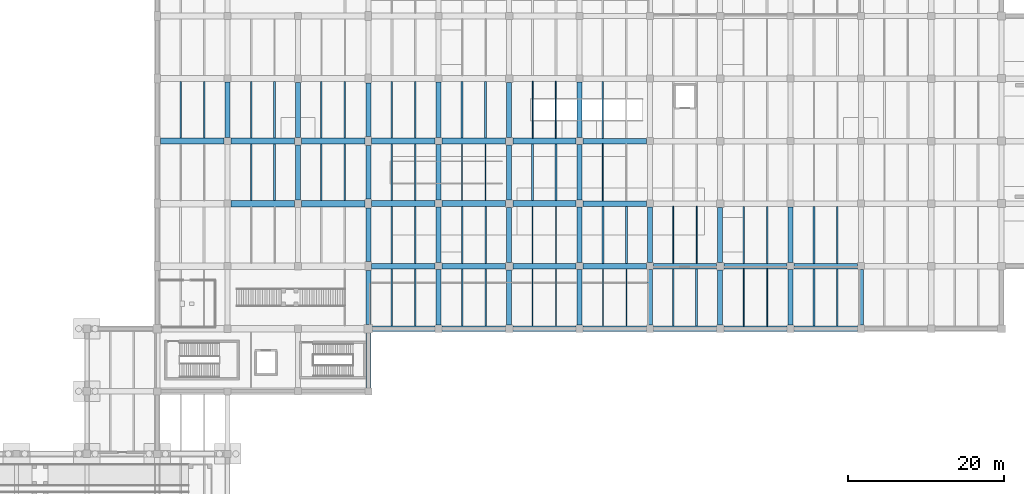
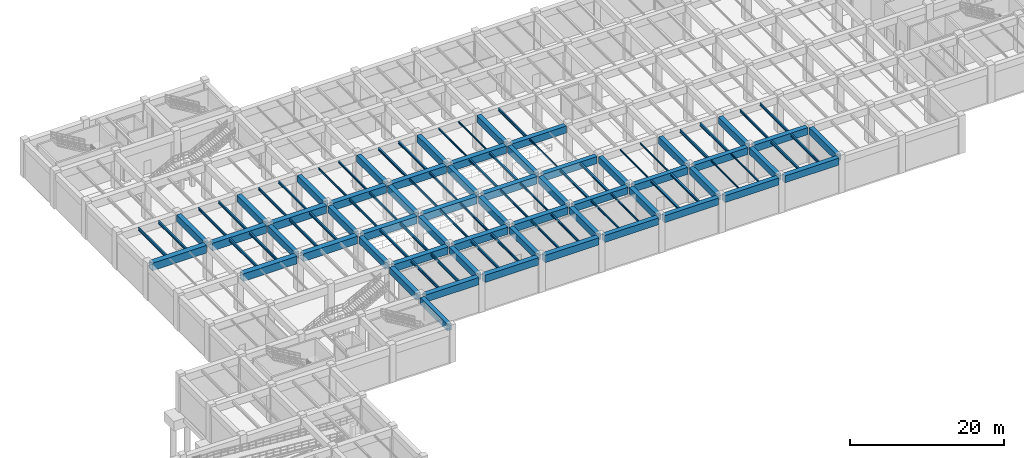
# One storey, part 3 of 20: 106 beams.
"""IFC4 building model written with IfcOpenShell, lengths in metres."""

from ifc_helpers import new_model, si_unit, derived_unit, direction, frame, origin, origin_2d, place, context, subcontext, project, spatial, rectangle, i_section, extrude, material, material_profile, profile_set, type_object, element, save


model = new_model("IFC4")

# Units and contexts
model_context = context("Model", 3, precision=1e-05, world=origin(), true_north=direction((0.0, 1.0)))
body_context = subcontext(model_context, "Body", "Model", "MODEL_VIEW")
ifc_project = project(units=[si_unit("LENGTHUNIT", "METRE"), si_unit("AREAUNIT", "SQUARE_METRE"), si_unit("VOLUMEUNIT", "CUBIC_METRE"), si_unit("PLANEANGLEUNIT", "RADIAN"), si_unit("MASSUNIT", "GRAM", prefix="KILO"), derived_unit("THERMALTRANSMITTANCEUNIT", [(si_unit("MASSUNIT", "GRAM", prefix="KILO"), 1), (si_unit("TIMEUNIT", "SECOND"), -3), (si_unit("THERMODYNAMICTEMPERATUREUNIT", "KELVIN"), -1)])], contexts=[model_context])

# Site, building, storey
site_placement = place(None, origin())
site = spatial("IfcSite", under=ifc_project, at=site_placement, CompositionType="ELEMENT")
building_placement = place(site_placement, origin())
building = spatial("IfcBuilding", under=site, at=building_placement, Name="Zhenchuan Archway Interchange", CompositionType="ELEMENT")
storey_placement = place(building_placement, frame((0.0, 0.0, -6.0)))
storey = spatial("IfcBuildingStorey", under=building, at=storey_placement, Name="B1", CompositionType="ELEMENT", Elevation=-6.0)

# Beams
ifc_material_1 = material(Name="Concrete C40", Category="concrete")
ifc_material_profile_1 = material_profile(ifc_material_1, rectangle(XDim=0.64990234375, YDim=1.050048828125, at=origin_2d()), Name="RC 650x1050")
ifc_profile_set_1 = profile_set([ifc_material_profile_1], Name="Concrete C40")
beam_type_1 = type_object("IfcBeamType", Name="BM_RC_650x1050", PredefinedType="BEAM", material=ifc_profile_set_1)
beam_1_placement = place(storey_placement, frame((45.0, 56.449951171875, 5.054931640625), z_axis=(0.0, 1.0, 0.0), x_axis=(-1.0, 0.0, 0.0)))
element("IfcBeam", 1, at=beam_1_placement, inside=storey, type_object=beam_type_1, Name="Beam 6:H-J (B1)", PredefinedType="BEAM", context=body_context, shape_type="SweptSolid", body=[
    extrude(rectangle(XDim=0.64990234375, YDim=1.050048828125, at=origin_2d()), origin(), (0.0, 0.0, 1.0), 7.10009765625),
])
for number, where, z_axis, x_axis, name in (
    (2, (54.0, 48.47509765625, 5.054931640625), (0.0, 1.0, 0.0), (-1.0, 0.0, 0.0), "Beam 7:G-H (B1)"),
    (3, (54.0, 56.47509765625, 5.054931640625), (0.0, 1.0, 0.0), (-1.0, 0.0, 0.0), "Beam 7:H-J (B1)"),
):
    element("IfcBeam", number, at=place(storey_placement, frame(where, z_axis=z_axis, x_axis=x_axis)), inside=storey, type_object=beam_type_1, Name=name, PredefinedType="BEAM", context=body_context, shape_type="SweptSolid", body=[
        extrude(rectangle(XDim=0.64990234375, YDim=1.050048828125, at=origin_2d()), origin(), (0.0, 0.0, 1.0), 7.0498046875),
    ])
beam_2_placement = place(storey_placement, frame((63.0, 24.449951171875, 5.054931640625), z_axis=(0.0, 1.0, 0.0), x_axis=(-1.0, 0.0, 0.0)))
element("IfcBeam", 4, at=beam_2_placement, inside=storey, type_object=beam_type_1, Name="Beam 8:D-E (B1)", PredefinedType="BEAM", context=body_context, shape_type="SweptSolid", body=[
    extrude(rectangle(XDim=0.64990234375, YDim=1.050048828125, at=origin_2d()), origin(), (0.0, 0.0, 1.0), 7.025146484375),
])
beam_3_placement = place(storey_placement, frame((63.0, 32.52490234375, 5.054931640625), z_axis=(0.0, 1.0, 0.0), x_axis=(-1.0, 0.0, 0.0)))
element("IfcBeam", 5, at=beam_3_placement, inside=storey, type_object=beam_type_1, Name="Beam 8:E-F (B1)", PredefinedType="BEAM", context=body_context, shape_type="SweptSolid", body=[
    extrude(rectangle(XDim=0.64990234375, YDim=1.050048828125, at=origin_2d()), origin(), (0.0, 0.0, 1.0), 6.900146484375),
])
for number, where, z_axis, x_axis, name in (
    (6, (63.0, 40.574951171875, 5.054931640625), (0.0, 1.0, 0.0), (-1.0, 0.0, 0.0), "Beam 8:F-G (B1)"),
    (7, (63.0, 48.574951171875, 5.054931640625), (0.0, 1.0, 0.0), (-1.0, 0.0, 0.0), "Beam 8:G-H (B1)"),
    (8, (63.0, 56.574951171875, 5.054931640625), (0.0, 1.0, 0.0), (-1.0, 0.0, 0.0), "Beam 8:H-J (B1)"),
):
    element("IfcBeam", number, at=place(storey_placement, frame(where, z_axis=z_axis, x_axis=x_axis)), inside=storey, type_object=beam_type_1, Name=name, PredefinedType="BEAM", context=body_context, shape_type="SweptSolid", body=[
        extrude(rectangle(XDim=0.64990234375, YDim=1.050048828125, at=origin_2d()), origin(), (0.0, 0.0, 1.0), 6.85009765625),
    ])
for number, where, z_axis, x_axis, name in (
    (9, (72.0, 32.449951171875, 5.054931640625), (0.0, 1.0, 0.0), (-1.0, 0.0, 0.0), "Beam 9:E-F (B1)"),
    (10, (72.0, 40.449951171875, 5.054931640625), (0.0, 1.0, 0.0), (-1.0, 0.0, 0.0), "Beam 9:F-G (B1)"),
    (11, (72.0, 48.449951171875, 5.054931640625), (0.0, 1.0, 0.0), (-1.0, 0.0, 0.0), "Beam 9:G-H (B1)"),
    (12, (72.0, 56.449951171875, 5.054931640625), (0.0, 1.0, 0.0), (-1.0, 0.0, 0.0), "Beam 9:H-J (B1)"),
):
    element("IfcBeam", number, at=place(storey_placement, frame(where, z_axis=z_axis, x_axis=x_axis)), inside=storey, type_object=beam_type_1, Name=name, PredefinedType="BEAM", context=body_context, shape_type="SweptSolid", body=[
        extrude(rectangle(XDim=0.64990234375, YDim=1.050048828125, at=origin_2d()), origin(), (0.0, 0.0, 1.0), 7.10009765625),
    ])
for number, where, z_axis, x_axis, name in (
    (13, (81.0, 32.47509765625, 5.054931640625), (0.0, 1.0, 0.0), (-1.0, 0.0, 0.0), "Beam 10:E-F (B1)"),
    (14, (81.0, 40.47509765625, 5.054931640625), (0.0, 1.0, 0.0), (-1.0, 0.0, 0.0), "Beam 10:F-G (B1)"),
    (15, (81.0, 48.47509765625, 5.054931640625), (0.0, 1.0, 0.0), (-1.0, 0.0, 0.0), "Beam 10:G-H (B1)"),
    (16, (81.0, 56.47509765625, 5.054931640625), (0.0, 1.0, 0.0), (-1.0, 0.0, 0.0), "Beam 10:H-J (B1)"),
):
    element("IfcBeam", number, at=place(storey_placement, frame(where, z_axis=z_axis, x_axis=x_axis)), inside=storey, type_object=beam_type_1, Name=name, PredefinedType="BEAM", context=body_context, shape_type="SweptSolid", body=[
        extrude(rectangle(XDim=0.64990234375, YDim=1.050048828125, at=origin_2d()), origin(), (0.0, 0.0, 1.0), 7.0498046875),
    ])
for number, where, z_axis, x_axis, name in (
    (17, (90.0, 32.449951171875, 5.054931640625), (0.0, 1.0, 0.0), (-1.0, 0.0, 0.0), "Beam 11:E-F (B1)"),
    (18, (90.0, 40.449951171875, 5.054931640625), (0.0, 1.0, 0.0), (-1.0, 0.0, 0.0), "Beam 11:F-G (B1)"),
    (19, (90.0, 48.449951171875, 5.054931640625), (0.0, 1.0, 0.0), (-1.0, 0.0, 0.0), "Beam 11:G-H (B1)"),
    (20, (90.0, 56.449951171875, 5.054931640625), (0.0, 1.0, 0.0), (-1.0, 0.0, 0.0), "Beam 11:H-J (B1)"),
    (21, (99.0, 32.449951171875, 5.054931640625), (0.0, 1.0, 0.0), (-1.0, 0.0, 0.0), "Beam 12:E-F (B1)"),
    (22, (99.0, 40.449951171875, 5.054931640625), (0.0, 1.0, 0.0), (-1.0, 0.0, 0.0), "Beam 12:F-G (B1)"),
):
    element("IfcBeam", number, at=place(storey_placement, frame(where, z_axis=z_axis, x_axis=x_axis)), inside=storey, type_object=beam_type_1, Name=name, PredefinedType="BEAM", context=body_context, shape_type="SweptSolid", body=[
        extrude(rectangle(XDim=0.64990234375, YDim=1.050048828125, at=origin_2d()), origin(), (0.0, 0.0, 1.0), 7.10009765625),
    ])
for number, where, z_axis, x_axis, name in (
    (23, (108.0, 32.47509765625, 5.054931640625), (0.0, 1.0, 0.0), (-1.0, 0.0, 0.0), "Beam 13:E-F (B1)"),
    (24, (108.0, 40.47509765625, 5.054931640625), (0.0, 1.0, 0.0), (-1.0, 0.0, 0.0), "Beam 13:F-G (B1)"),
):
    element("IfcBeam", number, at=place(storey_placement, frame(where, z_axis=z_axis, x_axis=x_axis)), inside=storey, type_object=beam_type_1, Name=name, PredefinedType="BEAM", context=body_context, shape_type="SweptSolid", body=[
        extrude(rectangle(XDim=0.64990234375, YDim=1.050048828125, at=origin_2d()), origin(), (0.0, 0.0, 1.0), 7.0498046875),
    ])
for number, where, z_axis, x_axis, name in (
    (25, (117.0, 32.449951171875, 5.054931640625), (0.0, 1.0, 0.0), (-1.0, 0.0, 0.0), "Beam 14:E-F (B1)"),
    (26, (117.0, 40.449951171875, 5.054931640625), (0.0, 1.0, 0.0), (-1.0, 0.0, 0.0), "Beam 14:F-G (B1)"),
    (27, (126.0, 32.449951171875, 5.054931640625), (0.0, 1.0, 0.0), (-1.0, 0.0, 0.0), "Beam 15:E-F (B1)"),
):
    element("IfcBeam", number, at=place(storey_placement, frame(where, z_axis=z_axis, x_axis=x_axis)), inside=storey, type_object=beam_type_1, Name=name, PredefinedType="BEAM", context=body_context, shape_type="SweptSolid", body=[
        extrude(rectangle(XDim=0.64990234375, YDim=1.050048828125, at=origin_2d()), origin(), (0.0, 0.0, 1.0), 7.10009765625),
    ])
ifc_material_profile_2 = material_profile(ifc_material_1, rectangle(XDim=0.699951171875, YDim=1.10009765625, at=origin_2d()), Name="RC 700x1100")
ifc_profile_set_2 = profile_set([ifc_material_profile_2], Name="Concrete C40")
beam_type_2 = type_object("IfcBeamType", Name="BM_RC_700x1100", PredefinedType="BEAM", material=ifc_profile_set_2)
beam_4_placement = place(storey_placement, frame((90.449951171875, 32.0, 5.030029296875), z_axis=(1.0, 0.0, 0.0), x_axis=(0.0, 1.0, 0.0)))
element("IfcBeam", 28, at=beam_4_placement, inside=storey, type_object=beam_type_2, Name="Beam E:11-12 (B1)", PredefinedType="BEAM", context=body_context, shape_type="SweptSolid", body=[
    extrude(rectangle(XDim=0.699951171875, YDim=1.10009765625, at=origin_2d()), origin(), (0.0, 0.0, 1.0), 8.10009765625),
])
for number, where, z_axis, x_axis, name in (
    (29, (99.449951171875, 32.0, 5.030029296875), (1.0, 0.0, 0.0), (0.0, 1.0, 0.0), "Beam E:12-13 (B1)"),
    (30, (108.47509765625, 32.0, 5.030029296875), (1.0, 0.0, 0.0), (0.0, 1.0, 0.0), "Beam E:13-14 (B1)"),
):
    element("IfcBeam", number, at=place(storey_placement, frame(where, z_axis=z_axis, x_axis=x_axis)), inside=storey, type_object=beam_type_2, Name=name, PredefinedType="BEAM", context=body_context, shape_type="SweptSolid", body=[
        extrude(rectangle(XDim=0.699951171875, YDim=1.10009765625, at=origin_2d()), origin(), (0.0, 0.0, 1.0), 8.074951171875),
    ])
for number, where, z_axis, x_axis, name in (
    (31, (117.449951171875, 32.0, 5.030029296875), (1.0, 0.0, 0.0), (0.0, 1.0, 0.0), "Beam E:14-15 (B1)"),
    (32, (90.449951171875, 40.0, 5.030029296875), (1.0, 0.0, 0.0), (0.0, 1.0, 0.0), "Beam F:11-12 (B1)"),
):
    element("IfcBeam", number, at=place(storey_placement, frame(where, z_axis=z_axis, x_axis=x_axis)), inside=storey, type_object=beam_type_2, Name=name, PredefinedType="BEAM", context=body_context, shape_type="SweptSolid", body=[
        extrude(rectangle(XDim=0.699951171875, YDim=1.10009765625, at=origin_2d()), origin(), (0.0, 0.0, 1.0), 8.10009765625),
    ])
for number, where, z_axis, x_axis, name in (
    (33, (99.449951171875, 40.0, 5.030029296875), (1.0, 0.0, 0.0), (0.0, 1.0, 0.0), "Beam F:12-13 (B1)"),
    (34, (108.47509765625, 40.0, 5.030029296875), (1.0, 0.0, 0.0), (0.0, 1.0, 0.0), "Beam F:13-14 (B1)"),
):
    element("IfcBeam", number, at=place(storey_placement, frame(where, z_axis=z_axis, x_axis=x_axis)), inside=storey, type_object=beam_type_2, Name=name, PredefinedType="BEAM", context=body_context, shape_type="SweptSolid", body=[
        extrude(rectangle(XDim=0.699951171875, YDim=1.10009765625, at=origin_2d()), origin(), (0.0, 0.0, 1.0), 8.074951171875),
    ])
for number, where, z_axis, x_axis, name in (
    (35, (117.449951171875, 40.0, 5.030029296875), (1.0, 0.0, 0.0), (0.0, 1.0, 0.0), "Beam F:14-15 (B1)"),
    (36, (90.449951171875, 48.0, 5.030029296875), (1.0, 0.0, 0.0), (0.0, 1.0, 0.0), "Beam G:11-12 (B1)"),
    (37, (90.449951171875, 56.0, 5.030029296875), (1.0, 0.0, 0.0), (0.0, 1.0, 0.0), "Beam H:11-12 (B1)"),
):
    element("IfcBeam", number, at=place(storey_placement, frame(where, z_axis=z_axis, x_axis=x_axis)), inside=storey, type_object=beam_type_2, Name=name, PredefinedType="BEAM", context=body_context, shape_type="SweptSolid", body=[
        extrude(rectangle(XDim=0.699951171875, YDim=1.10009765625, at=origin_2d()), origin(), (0.0, 0.0, 1.0), 8.10009765625),
    ])
ifc_material_profile_3 = material_profile(ifc_material_1, rectangle(XDim=0.75, YDim=1.14990234375, at=origin_2d()), Name="RC 750x1150")
ifc_profile_set_3 = profile_set([ifc_material_profile_3], Name="Concrete C40")
beam_type_3 = type_object("IfcBeamType", Name="BM_RC_750x1150", PredefinedType="BEAM", material=ifc_profile_set_3)
beam_5_placement = place(storey_placement, frame((63.52490234375, 32.0, 5.0048828125), z_axis=(1.0, 0.0, 0.0), x_axis=(0.0, 1.0, 0.0)))
element("IfcBeam", 38, at=beam_5_placement, inside=storey, type_object=beam_type_3, Name="Beam E:8-9 (B1)", PredefinedType="BEAM", context=body_context, shape_type="SweptSolid", body=[
    extrude(rectangle(XDim=0.75, YDim=1.14990234375, at=origin_2d()), origin(), (0.0, 0.0, 1.0), 8.025146484375),
])
for number, where, z_axis, x_axis, name in (
    (39, (72.449951171875, 32.0, 5.0048828125), (1.0, 0.0, 0.0), (0.0, 1.0, 0.0), "Beam E:9-10 (B1)"),
    (40, (81.47509765625, 32.0, 5.0048828125), (1.0, 0.0, 0.0), (0.0, 1.0, 0.0), "Beam E:10-11 (B1)"),
):
    element("IfcBeam", number, at=place(storey_placement, frame(where, z_axis=z_axis, x_axis=x_axis)), inside=storey, type_object=beam_type_3, Name=name, PredefinedType="BEAM", context=body_context, shape_type="SweptSolid", body=[
        extrude(rectangle(XDim=0.75, YDim=1.14990234375, at=origin_2d()), origin(), (0.0, 0.0, 1.0), 8.074951171875),
    ])
beam_6_placement = place(storey_placement, frame((63.425048828125, 40.0, 5.0048828125), z_axis=(1.0, 0.0, 0.0), x_axis=(0.0, 1.0, 0.0)))
element("IfcBeam", 41, at=beam_6_placement, inside=storey, type_object=beam_type_3, Name="Beam F:8-9 (B1)", PredefinedType="BEAM", context=body_context, shape_type="SweptSolid", body=[
    extrude(rectangle(XDim=0.75, YDim=1.14990234375, at=origin_2d()), origin(), (0.0, 0.0, 1.0), 8.125),
])
for number, where, z_axis, x_axis, name in (
    (42, (72.449951171875, 40.0, 5.0048828125), (1.0, 0.0, 0.0), (0.0, 1.0, 0.0), "Beam F:9-10 (B1)"),
    (43, (81.47509765625, 40.0, 5.0048828125), (1.0, 0.0, 0.0), (0.0, 1.0, 0.0), "Beam F:10-11 (B1)"),
):
    element("IfcBeam", number, at=place(storey_placement, frame(where, z_axis=z_axis, x_axis=x_axis)), inside=storey, type_object=beam_type_3, Name=name, PredefinedType="BEAM", context=body_context, shape_type="SweptSolid", body=[
        extrude(rectangle(XDim=0.75, YDim=1.14990234375, at=origin_2d()), origin(), (0.0, 0.0, 1.0), 8.074951171875),
    ])
beam_7_placement = place(storey_placement, frame((63.425048828125, 48.0, 5.0048828125), z_axis=(1.0, 0.0, 0.0), x_axis=(0.0, 1.0, 0.0)))
element("IfcBeam", 44, at=beam_7_placement, inside=storey, type_object=beam_type_3, Name="Beam G:8-9 (B1)", PredefinedType="BEAM", context=body_context, shape_type="SweptSolid", body=[
    extrude(rectangle(XDim=0.75, YDim=1.14990234375, at=origin_2d()), origin(), (0.0, 0.0, 1.0), 8.125),
])
for number, where, z_axis, x_axis, name in (
    (45, (72.449951171875, 48.0, 5.0048828125), (1.0, 0.0, 0.0), (0.0, 1.0, 0.0), "Beam G:9-10 (B1)"),
    (46, (81.47509765625, 48.0, 5.0048828125), (1.0, 0.0, 0.0), (0.0, 1.0, 0.0), "Beam G:10-11 (B1)"),
):
    element("IfcBeam", number, at=place(storey_placement, frame(where, z_axis=z_axis, x_axis=x_axis)), inside=storey, type_object=beam_type_3, Name=name, PredefinedType="BEAM", context=body_context, shape_type="SweptSolid", body=[
        extrude(rectangle(XDim=0.75, YDim=1.14990234375, at=origin_2d()), origin(), (0.0, 0.0, 1.0), 8.074951171875),
    ])
beam_8_placement = place(storey_placement, frame((63.425048828125, 56.0, 5.0048828125), z_axis=(1.0, 0.0, 0.0), x_axis=(0.0, 1.0, 0.0)))
element("IfcBeam", 47, at=beam_8_placement, inside=storey, type_object=beam_type_3, Name="Beam H:8-9 (B1)", PredefinedType="BEAM", context=body_context, shape_type="SweptSolid", body=[
    extrude(rectangle(XDim=0.75, YDim=1.14990234375, at=origin_2d()), origin(), (0.0, 0.0, 1.0), 8.125),
])
for number, where, z_axis, x_axis, name in (
    (48, (72.449951171875, 56.0, 5.0048828125), (1.0, 0.0, 0.0), (0.0, 1.0, 0.0), "Beam H:9-10 (B1)"),
    (49, (81.47509765625, 56.0, 5.0048828125), (1.0, 0.0, 0.0), (0.0, 1.0, 0.0), "Beam H:10-11 (B1)"),
):
    element("IfcBeam", number, at=place(storey_placement, frame(where, z_axis=z_axis, x_axis=x_axis)), inside=storey, type_object=beam_type_3, Name=name, PredefinedType="BEAM", context=body_context, shape_type="SweptSolid", body=[
        extrude(rectangle(XDim=0.75, YDim=1.14990234375, at=origin_2d()), origin(), (0.0, 0.0, 1.0), 8.074951171875),
    ])
ifc_material_2 = material(Name="Concrete C50", Category="concrete")
ifc_material_profile_4 = material_profile(ifc_material_2, rectangle(XDim=0.800048828125, YDim=1.199951171875, at=origin_2d()), Name="RC 800x1200")
ifc_profile_set_4 = profile_set([ifc_material_profile_4], Name="Concrete C50")
beam_type_4 = type_object("IfcBeamType", Name="BM_RC_800x1200", PredefinedType="BEAM", material=ifc_profile_set_4)
beam_9_placement = place(storey_placement, frame((45.449951171875, 48.0, 4.97998046875), z_axis=(1.0, 0.0, 0.0), x_axis=(0.0, 1.0, 0.0)))
element("IfcBeam", 50, at=beam_9_placement, inside=storey, type_object=beam_type_4, Name="Beam G:6-7 (B1)", PredefinedType="BEAM", context=body_context, shape_type="SweptSolid", body=[
    extrude(rectangle(XDim=0.800048828125, YDim=1.199951171875, at=origin_2d()), origin(), (0.0, 0.0, 1.0), 8.074951171875),
])
beam_10_placement = place(storey_placement, frame((54.47509765625, 48.0, 4.97998046875), z_axis=(1.0, 0.0, 0.0), x_axis=(0.0, 1.0, 0.0)))
element("IfcBeam", 51, at=beam_10_placement, inside=storey, type_object=beam_type_4, Name="Beam G:7-8 (B1)", PredefinedType="BEAM", context=body_context, shape_type="SweptSolid", body=[
    extrude(rectangle(XDim=0.800048828125, YDim=1.199951171875, at=origin_2d()), origin(), (0.0, 0.0, 1.0), 8.099853515625),
])
beam_11_placement = place(storey_placement, frame((36.425048828125, 56.0, 4.97998046875), z_axis=(1.0, 0.0, 0.0), x_axis=(0.0, 1.0, 0.0)))
element("IfcBeam", 52, at=beam_11_placement, inside=storey, type_object=beam_type_4, Name="Beam H:5-6 (B1)", PredefinedType="BEAM", context=body_context, shape_type="SweptSolid", body=[
    extrude(rectangle(XDim=0.800048828125, YDim=1.199951171875, at=origin_2d()), origin(), (0.0, 0.0, 1.0), 8.125),
])
beam_12_placement = place(storey_placement, frame((45.449951171875, 56.0, 4.97998046875), z_axis=(1.0, 0.0, 0.0), x_axis=(0.0, 1.0, 0.0)))
element("IfcBeam", 53, at=beam_12_placement, inside=storey, type_object=beam_type_4, Name="Beam H:6-7 (B1)", PredefinedType="BEAM", context=body_context, shape_type="SweptSolid", body=[
    extrude(rectangle(XDim=0.800048828125, YDim=1.199951171875, at=origin_2d()), origin(), (0.0, 0.0, 1.0), 8.074951171875),
])
beam_13_placement = place(storey_placement, frame((54.47509765625, 56.0, 4.97998046875), z_axis=(1.0, 0.0, 0.0), x_axis=(0.0, 1.0, 0.0)))
element("IfcBeam", 54, at=beam_13_placement, inside=storey, type_object=beam_type_4, Name="Beam H:7-8 (B1)", PredefinedType="BEAM", context=body_context, shape_type="SweptSolid", body=[
    extrude(rectangle(XDim=0.800048828125, YDim=1.199951171875, at=origin_2d()), origin(), (0.0, 0.0, 1.0), 8.099853515625),
])
ifc_material_3 = material(Name="Steel Q355", Category="steel")
ifc_material_profile_5 = material_profile(ifc_material_3, i_section(OverallWidth=0.25, OverallDepth=0.340087890625, WebThickness=0.009033203125, FlangeThickness=0.013916015625, FilletRadius=0.01806640625, at=origin_2d()), Name="HM 340x250")
ifc_profile_set_5 = profile_set([ifc_material_profile_5], Name="Steel Q355")
beam_type_5 = type_object("IfcBeamType", Name="JST_STL_HM340", PredefinedType="JOIST", material=ifc_profile_set_5)
for number, where, z_axis, x_axis, name in (
    (55, (75.0, 56.375, 5.409912109375), (0.0, 1.0, 0.0), (-1.0, 0.0, 0.0), "Secondary joist 9-10/H-J #1 (B1)"),
    (56, (78.0, 56.375, 5.409912109375), (0.0, 1.0, 0.0), (-1.0, 0.0, 0.0), "Secondary joist 9-10/H-J #2 (B1)"),
    (57, (84.0, 48.375, 5.409912109375), (0.0, 1.0, 0.0), (-1.0, 0.0, 0.0), "Secondary joist 10-11/G-H #1 (B1)"),
    (58, (87.0, 48.375, 5.409912109375), (0.0, 1.0, 0.0), (-1.0, 0.0, 0.0), "Secondary joist 10-11/G-H #2 (B1)"),
):
    element("IfcBeam", number, at=place(storey_placement, frame(where, z_axis=z_axis, x_axis=x_axis)), inside=storey, type_object=beam_type_5, Name=name, PredefinedType="JOIST", context=body_context, shape_type="SweptSolid", body=[
        extrude(i_section(OverallWidth=0.25, OverallDepth=0.340087890625, WebThickness=0.009033203125, FlangeThickness=0.013916015625, FilletRadius=0.01806640625, at=origin_2d()), origin(), (0.0, 0.0, 1.0), 7.25),
    ])
for number, where, z_axis, x_axis, name in (
    (59, (93.0, 40.35009765625, 5.409912109375), (0.0, 1.0, 0.0), (-1.0, 0.0, 0.0), "Secondary joist 11-12/F-G #1 (B1)"),
    (60, (96.0, 40.35009765625, 5.409912109375), (0.0, 1.0, 0.0), (-1.0, 0.0, 0.0), "Secondary joist 11-12/F-G #2 (B1)"),
    (61, (102.0, 32.35009765625, 5.409912109375), (0.0, 1.0, 0.0), (-1.0, 0.0, 0.0), "Secondary joist 12-13/E-F #1 (B1)"),
    (62, (105.0, 32.35009765625, 5.409912109375), (0.0, 1.0, 0.0), (-1.0, 0.0, 0.0), "Secondary joist 12-13/E-F #2 (B1)"),
):
    element("IfcBeam", number, at=place(storey_placement, frame(where, z_axis=z_axis, x_axis=x_axis)), inside=storey, type_object=beam_type_5, Name=name, PredefinedType="JOIST", context=body_context, shape_type="SweptSolid", body=[
        extrude(i_section(OverallWidth=0.25, OverallDepth=0.340087890625, WebThickness=0.009033203125, FlangeThickness=0.013916015625, FilletRadius=0.01806640625, at=origin_2d()), origin(), (0.0, 0.0, 1.0), 7.2998046875),
    ])
ifc_material_profile_6 = material_profile(ifc_material_3, i_section(OverallWidth=0.125, OverallDepth=0.25, WebThickness=0.006103515625, FlangeThickness=0.009033203125, FilletRadius=0.011962890625, at=origin_2d()), Name="HN 250x125")
ifc_profile_set_6 = profile_set([ifc_material_profile_6], Name="Steel Q355")
beam_type_6 = type_object("IfcBeamType", Name="JST_STL_HN250", PredefinedType="JOIST", material=ifc_profile_set_6)
for number, where, z_axis, x_axis, name in (
    (63, (84.0, 56.375, 5.455078125), (0.0, 1.0, 0.0), (-1.0, 0.0, 0.0), "Secondary joist 10-11/H-J #1 (B1)"),
    (64, (87.0, 56.375, 5.455078125), (0.0, 1.0, 0.0), (-1.0, 0.0, 0.0), "Secondary joist 10-11/H-J #2 (B1)"),
):
    element("IfcBeam", number, at=place(storey_placement, frame(where, z_axis=z_axis, x_axis=x_axis)), inside=storey, type_object=beam_type_6, Name=name, PredefinedType="JOIST", context=body_context, shape_type="SweptSolid", body=[
        extrude(i_section(OverallWidth=0.125, OverallDepth=0.25, WebThickness=0.006103515625, FlangeThickness=0.009033203125, FilletRadius=0.011962890625, at=origin_2d()), origin(), (0.0, 0.0, 1.0), 7.25),
    ])
for number, where, z_axis, x_axis, name in (
    (65, (93.0, 48.35009765625, 5.455078125), (0.0, 1.0, 0.0), (-1.0, 0.0, 0.0), "Secondary joist 11-12/G-H #1 (B1)"),
    (66, (102.0, 40.35009765625, 5.455078125), (0.0, 1.0, 0.0), (-1.0, 0.0, 0.0), "Secondary joist 12-13/F-G #1 (B1)"),
    (67, (105.0, 40.35009765625, 5.455078125), (0.0, 1.0, 0.0), (-1.0, 0.0, 0.0), "Secondary joist 12-13/F-G #2 (B1)"),
    (68, (111.0, 32.35009765625, 5.455078125), (0.0, 1.0, 0.0), (-1.0, 0.0, 0.0), "Secondary joist 13-14/E-F #1 (B1)"),
    (69, (114.0, 32.35009765625, 5.455078125), (0.0, 1.0, 0.0), (-1.0, 0.0, 0.0), "Secondary joist 13-14/E-F #2 (B1)"),
):
    element("IfcBeam", number, at=place(storey_placement, frame(where, z_axis=z_axis, x_axis=x_axis)), inside=storey, type_object=beam_type_6, Name=name, PredefinedType="JOIST", context=body_context, shape_type="SweptSolid", body=[
        extrude(i_section(OverallWidth=0.125, OverallDepth=0.25, WebThickness=0.006103515625, FlangeThickness=0.009033203125, FilletRadius=0.011962890625, at=origin_2d()), origin(), (0.0, 0.0, 1.0), 7.2998046875),
    ])
ifc_material_profile_7 = material_profile(ifc_material_3, i_section(OverallWidth=0.14990234375, OverallDepth=0.300048828125, WebThickness=0.006591796875, FlangeThickness=0.009033203125, FilletRadius=0.012939453125, at=origin_2d()), Name="HN 300x150")
ifc_profile_set_7 = profile_set([ifc_material_profile_7], Name="Steel Q355")
beam_type_7 = type_object("IfcBeamType", Name="JST_STL_HN300", PredefinedType="JOIST", material=ifc_profile_set_7)
for number, where, z_axis, x_axis, name in (
    (70, (66.0, 56.375, 5.429931640625), (0.0, 1.0, 0.0), (-1.0, 0.0, 0.0), "Secondary joist 8-9/H-J #1 (B1)"),
    (71, (69.0, 56.375, 5.429931640625), (0.0, 1.0, 0.0), (-1.0, 0.0, 0.0), "Secondary joist 8-9/H-J #2 (B1)"),
    (72, (75.0, 48.375, 5.429931640625), (0.0, 1.0, 0.0), (-1.0, 0.0, 0.0), "Secondary joist 9-10/G-H #1 (B1)"),
    (73, (78.0, 48.375, 5.429931640625), (0.0, 1.0, 0.0), (-1.0, 0.0, 0.0), "Secondary joist 9-10/G-H #2 (B1)"),
    (74, (84.0, 40.375, 5.429931640625), (0.0, 1.0, 0.0), (-1.0, 0.0, 0.0), "Secondary joist 10-11/F-G #1 (B1)"),
    (75, (87.0, 40.375, 5.429931640625), (0.0, 1.0, 0.0), (-1.0, 0.0, 0.0), "Secondary joist 10-11/F-G #2 (B1)"),
):
    element("IfcBeam", number, at=place(storey_placement, frame(where, z_axis=z_axis, x_axis=x_axis)), inside=storey, type_object=beam_type_7, Name=name, PredefinedType="JOIST", context=body_context, shape_type="SweptSolid", body=[
        extrude(i_section(OverallWidth=0.14990234375, OverallDepth=0.300048828125, WebThickness=0.006591796875, FlangeThickness=0.009033203125, FilletRadius=0.012939453125, at=origin_2d()), origin(), (0.0, 0.0, 1.0), 7.25),
    ])
for number, where, z_axis, x_axis, name in (
    (76, (93.0, 32.35009765625, 5.429931640625), (0.0, 1.0, 0.0), (-1.0, 0.0, 0.0), "Secondary joist 11-12/E-F #1 (B1)"),
    (77, (96.0, 32.35009765625, 5.429931640625), (0.0, 1.0, 0.0), (-1.0, 0.0, 0.0), "Secondary joist 11-12/E-F #2 (B1)"),
):
    element("IfcBeam", number, at=place(storey_placement, frame(where, z_axis=z_axis, x_axis=x_axis)), inside=storey, type_object=beam_type_7, Name=name, PredefinedType="JOIST", context=body_context, shape_type="SweptSolid", body=[
        extrude(i_section(OverallWidth=0.14990234375, OverallDepth=0.300048828125, WebThickness=0.006591796875, FlangeThickness=0.009033203125, FilletRadius=0.012939453125, at=origin_2d()), origin(), (0.0, 0.0, 1.0), 7.2998046875),
    ])
ifc_material_profile_8 = material_profile(ifc_material_3, i_section(OverallWidth=0.175048828125, OverallDepth=0.35009765625, WebThickness=0.007080078125, FlangeThickness=0.010986328125, FilletRadius=0.013916015625, at=origin_2d()), Name="HN 350x175")
ifc_profile_set_8 = profile_set([ifc_material_profile_8], Name="Steel Q355")
beam_type_8 = type_object("IfcBeamType", Name="JST_STL_HN350", PredefinedType="JOIST", material=ifc_profile_set_8)
for number, where, z_axis, x_axis, name in (
    (78, (57.0, 56.39990234375, 5.405029296875), (0.0, 1.0, 0.0), (-1.0, 0.0, 0.0), "Secondary joist 7-8/H-J #1 (B1)"),
    (79, (60.0, 56.39990234375, 5.405029296875), (0.0, 1.0, 0.0), (-1.0, 0.0, 0.0), "Secondary joist 7-8/H-J #2 (B1)"),
):
    element("IfcBeam", number, at=place(storey_placement, frame(where, z_axis=z_axis, x_axis=x_axis)), inside=storey, type_object=beam_type_8, Name=name, PredefinedType="JOIST", context=body_context, shape_type="SweptSolid", body=[
        extrude(i_section(OverallWidth=0.175048828125, OverallDepth=0.35009765625, WebThickness=0.007080078125, FlangeThickness=0.010986328125, FilletRadius=0.013916015625, at=origin_2d()), origin(), (0.0, 0.0, 1.0), 7.2001953125),
    ])
for number, where, z_axis, x_axis, name in (
    (80, (66.0, 48.375, 5.405029296875), (0.0, 1.0, 0.0), (-1.0, 0.0, 0.0), "Secondary joist 8-9/G-H #1 (B1)"),
    (81, (69.0, 48.375, 5.405029296875), (0.0, 1.0, 0.0), (-1.0, 0.0, 0.0), "Secondary joist 8-9/G-H #2 (B1)"),
    (82, (75.0, 40.375, 5.405029296875), (0.0, 1.0, 0.0), (-1.0, 0.0, 0.0), "Secondary joist 9-10/F-G #1 (B1)"),
    (83, (78.0, 40.375, 5.405029296875), (0.0, 1.0, 0.0), (-1.0, 0.0, 0.0), "Secondary joist 9-10/F-G #2 (B1)"),
    (84, (84.0, 32.375, 5.405029296875), (0.0, 1.0, 0.0), (-1.0, 0.0, 0.0), "Secondary joist 10-11/E-F #1 (B1)"),
    (85, (87.0, 32.375, 5.405029296875), (0.0, 1.0, 0.0), (-1.0, 0.0, 0.0), "Secondary joist 10-11/E-F #2 (B1)"),
):
    element("IfcBeam", number, at=place(storey_placement, frame(where, z_axis=z_axis, x_axis=x_axis)), inside=storey, type_object=beam_type_8, Name=name, PredefinedType="JOIST", context=body_context, shape_type="SweptSolid", body=[
        extrude(i_section(OverallWidth=0.175048828125, OverallDepth=0.35009765625, WebThickness=0.007080078125, FlangeThickness=0.010986328125, FilletRadius=0.013916015625, at=origin_2d()), origin(), (0.0, 0.0, 1.0), 7.25),
    ])
ifc_material_profile_9 = material_profile(ifc_material_3, i_section(OverallWidth=0.199951171875, OverallDepth=0.39990234375, WebThickness=0.008056640625, FlangeThickness=0.012939453125, FilletRadius=0.01611328125, at=origin_2d()), Name="HN 400x200")
ifc_profile_set_9 = profile_set([ifc_material_profile_9], Name="Steel Q355")
beam_type_9 = type_object("IfcBeamType", Name="JST_STL_HN400", PredefinedType="JOIST", material=ifc_profile_set_9)
for number, where, z_axis, x_axis, name in (
    (86, (48.0, 56.39990234375, 5.3798828125), (0.0, 1.0, 0.0), (-1.0, 0.0, 0.0), "Secondary joist 6-7/H-J #1 (B1)"),
    (87, (51.0, 56.39990234375, 5.3798828125), (0.0, 1.0, 0.0), (-1.0, 0.0, 0.0), "Secondary joist 6-7/H-J #2 (B1)"),
    (88, (57.0, 48.39990234375, 5.3798828125), (0.0, 1.0, 0.0), (-1.0, 0.0, 0.0), "Secondary joist 7-8/G-H #1 (B1)"),
    (89, (60.0, 48.39990234375, 5.3798828125), (0.0, 1.0, 0.0), (-1.0, 0.0, 0.0), "Secondary joist 7-8/G-H #2 (B1)"),
):
    element("IfcBeam", number, at=place(storey_placement, frame(where, z_axis=z_axis, x_axis=x_axis)), inside=storey, type_object=beam_type_9, Name=name, PredefinedType="JOIST", context=body_context, shape_type="SweptSolid", body=[
        extrude(i_section(OverallWidth=0.199951171875, OverallDepth=0.39990234375, WebThickness=0.008056640625, FlangeThickness=0.012939453125, FilletRadius=0.01611328125, at=origin_2d()), origin(), (0.0, 0.0, 1.0), 7.2001953125),
    ])
for number, where, z_axis, x_axis, name in (
    (90, (66.0, 40.375, 5.3798828125), (0.0, 1.0, 0.0), (-1.0, 0.0, 0.0), "Secondary joist 8-9/F-G #1 (B1)"),
    (91, (69.0, 40.375, 5.3798828125), (0.0, 1.0, 0.0), (-1.0, 0.0, 0.0), "Secondary joist 8-9/F-G #2 (B1)"),
    (92, (75.0, 32.375, 5.3798828125), (0.0, 1.0, 0.0), (-1.0, 0.0, 0.0), "Secondary joist 9-10/E-F #1 (B1)"),
    (93, (78.0, 32.375, 5.3798828125), (0.0, 1.0, 0.0), (-1.0, 0.0, 0.0), "Secondary joist 9-10/E-F #2 (B1)"),
):
    element("IfcBeam", number, at=place(storey_placement, frame(where, z_axis=z_axis, x_axis=x_axis)), inside=storey, type_object=beam_type_9, Name=name, PredefinedType="JOIST", context=body_context, shape_type="SweptSolid", body=[
        extrude(i_section(OverallWidth=0.199951171875, OverallDepth=0.39990234375, WebThickness=0.008056640625, FlangeThickness=0.012939453125, FilletRadius=0.01611328125, at=origin_2d()), origin(), (0.0, 0.0, 1.0), 7.25),
    ])
for number, where, z_axis, x_axis, name in (
    (94, (120.0, 40.35009765625, 5.3798828125), (0.0, 1.0, 0.0), (-1.0, 0.0, 0.0), "Secondary joist 14-15/F-G #1 (B1)"),
    (95, (123.0, 40.35009765625, 5.3798828125), (0.0, 1.0, 0.0), (-1.0, 0.0, 0.0), "Secondary joist 14-15/F-G #2 (B1)"),
):
    element("IfcBeam", number, at=place(storey_placement, frame(where, z_axis=z_axis, x_axis=x_axis)), inside=storey, type_object=beam_type_9, Name=name, PredefinedType="JOIST", context=body_context, shape_type="SweptSolid", body=[
        extrude(i_section(OverallWidth=0.199951171875, OverallDepth=0.39990234375, WebThickness=0.008056640625, FlangeThickness=0.012939453125, FilletRadius=0.01611328125, at=origin_2d()), origin(), (0.0, 0.0, 1.0), 7.2998046875),
    ])
ifc_material_profile_10 = material_profile(ifc_material_3, i_section(OverallWidth=0.199951171875, OverallDepth=0.449951171875, WebThickness=0.009033203125, FlangeThickness=0.013916015625, FilletRadius=0.01806640625, at=origin_2d()), Name="HN 450x200")
ifc_profile_set_10 = profile_set([ifc_material_profile_10], Name="Steel Q355")
beam_type_10 = type_object("IfcBeamType", Name="JST_STL_HN450", PredefinedType="JOIST", material=ifc_profile_set_10)
for number, where, z_axis, x_axis, name in (
    (96, (39.0, 56.39990234375, 5.35498046875), (0.0, 1.0, 0.0), (-1.0, 0.0, 0.0), "Secondary joist 5-6/H-J #1 (B1)"),
    (97, (42.0, 56.39990234375, 5.35498046875), (0.0, 1.0, 0.0), (-1.0, 0.0, 0.0), "Secondary joist 5-6/H-J #2 (B1)"),
    (98, (48.0, 48.39990234375, 5.35498046875), (0.0, 1.0, 0.0), (-1.0, 0.0, 0.0), "Secondary joist 6-7/G-H #1 (B1)"),
    (99, (51.0, 48.39990234375, 5.35498046875), (0.0, 1.0, 0.0), (-1.0, 0.0, 0.0), "Secondary joist 6-7/G-H #2 (B1)"),
):
    element("IfcBeam", number, at=place(storey_placement, frame(where, z_axis=z_axis, x_axis=x_axis)), inside=storey, type_object=beam_type_10, Name=name, PredefinedType="JOIST", context=body_context, shape_type="SweptSolid", body=[
        extrude(i_section(OverallWidth=0.199951171875, OverallDepth=0.449951171875, WebThickness=0.009033203125, FlangeThickness=0.013916015625, FilletRadius=0.01806640625, at=origin_2d()), origin(), (0.0, 0.0, 1.0), 7.2001953125),
    ])
for number, where, z_axis, x_axis, name in (
    (100, (66.0, 32.375, 5.35498046875), (0.0, 1.0, 0.0), (-1.0, 0.0, 0.0), "Secondary joist 8-9/E-F #1 (B1)"),
    (101, (69.0, 32.375, 5.35498046875), (0.0, 1.0, 0.0), (-1.0, 0.0, 0.0), "Secondary joist 8-9/E-F #2 (B1)"),
):
    element("IfcBeam", number, at=place(storey_placement, frame(where, z_axis=z_axis, x_axis=x_axis)), inside=storey, type_object=beam_type_10, Name=name, PredefinedType="JOIST", context=body_context, shape_type="SweptSolid", body=[
        extrude(i_section(OverallWidth=0.199951171875, OverallDepth=0.449951171875, WebThickness=0.009033203125, FlangeThickness=0.013916015625, FilletRadius=0.01806640625, at=origin_2d()), origin(), (0.0, 0.0, 1.0), 7.25),
    ])
for number, where, z_axis, x_axis, name in (
    (102, (93.0, 56.35009765625, 5.35498046875), (0.0, 1.0, 0.0), (-1.0, 0.0, 0.0), "Secondary joist 11-12/H-J #1 (B1)"),
    (103, (111.0, 40.35009765625, 5.35498046875), (0.0, 1.0, 0.0), (-1.0, 0.0, 0.0), "Secondary joist 13-14/F-G #1 (B1)"),
    (104, (114.0, 40.35009765625, 5.35498046875), (0.0, 1.0, 0.0), (-1.0, 0.0, 0.0), "Secondary joist 13-14/F-G #2 (B1)"),
    (105, (120.0, 32.35009765625, 5.35498046875), (0.0, 1.0, 0.0), (-1.0, 0.0, 0.0), "Secondary joist 14-15/E-F #1 (B1)"),
    (106, (123.0, 32.35009765625, 5.35498046875), (0.0, 1.0, 0.0), (-1.0, 0.0, 0.0), "Secondary joist 14-15/E-F #2 (B1)"),
):
    element("IfcBeam", number, at=place(storey_placement, frame(where, z_axis=z_axis, x_axis=x_axis)), inside=storey, type_object=beam_type_10, Name=name, PredefinedType="JOIST", context=body_context, shape_type="SweptSolid", body=[
        extrude(i_section(OverallWidth=0.199951171875, OverallDepth=0.449951171875, WebThickness=0.009033203125, FlangeThickness=0.013916015625, FilletRadius=0.01806640625, at=origin_2d()), origin(), (0.0, 0.0, 1.0), 7.2998046875),
    ])

save(model, "model.ifc")
